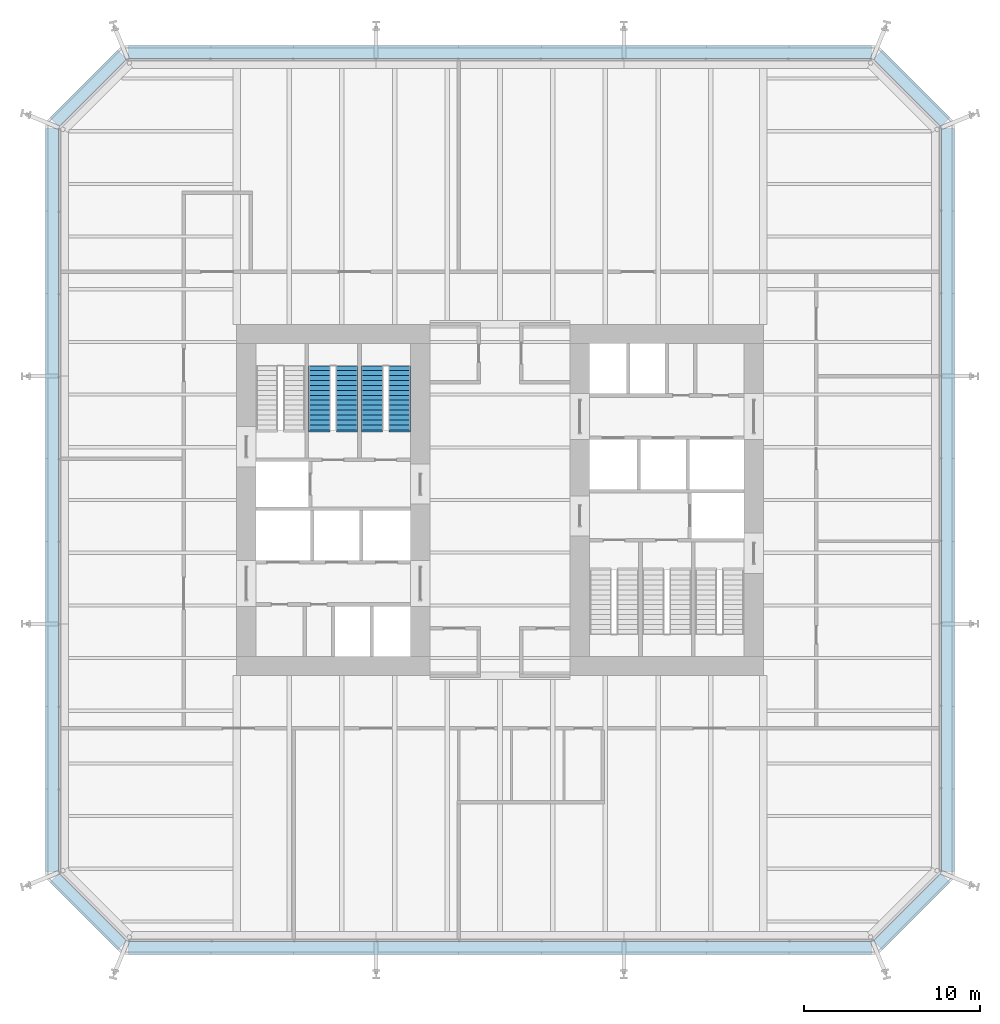
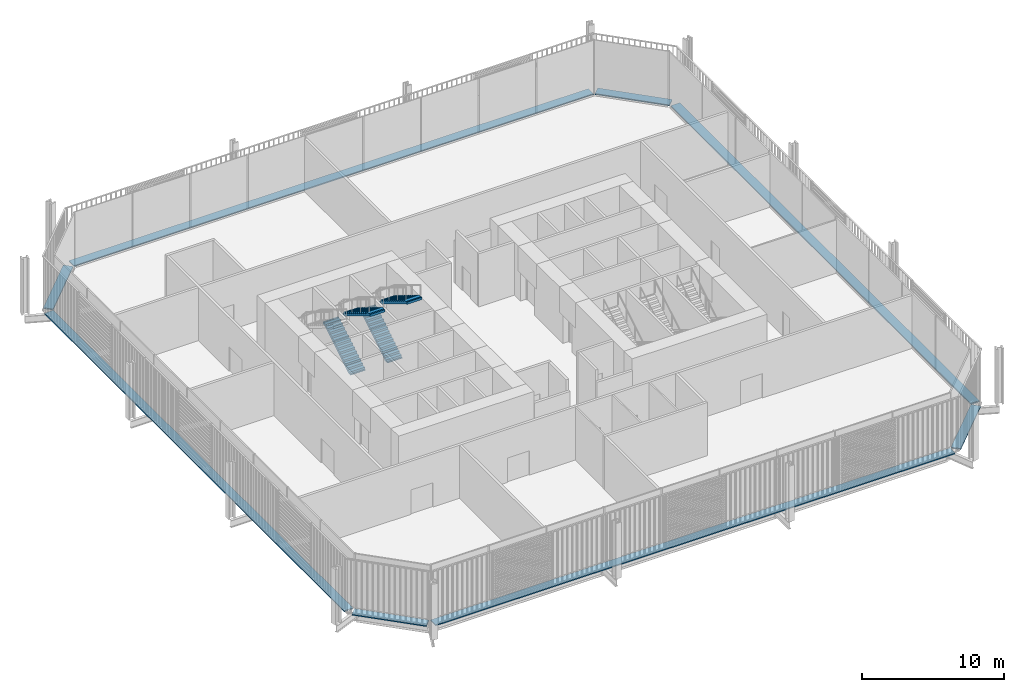
# One storey, part 21 of 22: 8 discrete accessories, 4 stair flights, 2 elements without a shape of their own.
"""IFC4 building model written with IfcOpenShell, lengths in metres."""

from ifc_helpers import new_model, si_unit, direction, frame, origin, origin_2d, place, context, subcontext, project, spatial, polyline, rectangle, outline, extrude, material, type_object, element, aggregate, save


model = new_model("IFC4")

# Units and contexts
model_context = context("Model", 3, precision=1e-05, world=origin(), true_north=direction((0.0, 1.0)))
body_context = subcontext(model_context, "Body", "Model", "MODEL_VIEW")
ifc_project = project(units=[si_unit("LENGTHUNIT", "METRE"), si_unit("AREAUNIT", "SQUARE_METRE"), si_unit("VOLUMEUNIT", "CUBIC_METRE"), si_unit("PLANEANGLEUNIT", "RADIAN"), si_unit("MASSUNIT", "GRAM", prefix="KILO")], contexts=[model_context])

# Site, building, storey
site_placement = place(None, origin())
site = spatial("IfcSite", under=ifc_project, at=site_placement, CompositionType="ELEMENT")
building_placement = place(site_placement, origin())
building = spatial("IfcBuilding", under=site, at=building_placement, Name="Millrace Tower", CompositionType="ELEMENT")
storey_placement = place(building_placement, frame((0.0, 0.0, 25.699951171875)))
storey = spatial("IfcBuildingStorey", under=building, at=storey_placement, Name="L06", CompositionType="ELEMENT", Elevation=25.699951171875)

# Stair, stair flights
ifc_material_1 = material(Name="Concrete C35", Category="concrete")
stair_type = type_object("IfcStairType", Name="Exit stair", PredefinedType="HALF_TURN_STAIR", material=ifc_material_1)
placement = place(storey_placement, origin())
stair_1 = element("IfcStair", 1, at=placement, inside=storey, type_object=stair_type, Name="Stair 2 W L06", PredefinedType="HALF_TURN_STAIR")
ifc_material_2 = material(Name="Concrete C35", Category="concrete")
stair_flight_type = type_object("IfcStairFlightType", Name="Exit stair flight", PredefinedType="STRAIGHT", material=ifc_material_2)
stair_flight_1_placement = place(storey_placement, frame((-10.2900390625, 4.0, 0.0), z_axis=(0.0, 0.0, 1.0), x_axis=(0.0, 1.0, 0.0)))
stair_flight_1 = element("IfcStairFlight", 2, at=stair_flight_1_placement, type_object=stair_flight_type, Name="ST12 flight 1", NumberOfRisers=14, NumberOfTreads=13, PredefinedType="STRAIGHT", RiserHeight=0.171428571, TreadLength=0.28, context=body_context, shape_type="SweptSolid", body=[
    extrude(outline(polyline([(-0.1201171875, -0.0400390625), (-0.1201171875, 0.0), (0.0, 0.0), (0.0, 0.17138671875), (0.280029296875, 0.17138671875), (0.280029296875, 0.3427734375), (0.56005859375, 0.3427734375), (0.56005859375, 0.514404296875), (0.840087890625, 0.514404296875), (0.840087890625, 0.685791015625), (1.1201171875, 0.685791015625), (1.1201171875, 0.857177734375), (1.39990234375, 0.857177734375), (1.39990234375, 1.028564453125), (1.679931640625, 1.028564453125), (1.679931640625, 1.199951171875), (1.9599609375, 1.199951171875), (1.9599609375, 1.371337890625), (2.239990234375, 1.371337890625), (2.239990234375, 1.54296875), (2.52001953125, 1.54296875), (2.52001953125, 1.71435546875), (2.800048828125, 1.71435546875), (2.800048828125, 1.8857421875), (3.080078125, 1.8857421875), (3.080078125, 2.05712890625), (3.360107421875, 2.05712890625), (3.360107421875, 2.228515625), (3.639892578125, 2.228515625), (3.639892578125, 2.24853515625), (3.760009765625, 2.24853515625), (3.760009765625, 2.052734375), (3.639892578125, 2.052734375), (0.287109375, 0.0), (0.287109375, -0.0400390625), (-0.1201171875, -0.0400390625)])), frame((0.0, 0.60986328125, 0.0), z_axis=(0.0, -1.0, 0.0), x_axis=(1.0, 0.0, 0.0)), (0.0, 0.0, 1.0), 1.219970703125),
])
stair_flight_2_placement = place(storey_placement, frame((-8.7099609375, 7.639892578125, 2.400146484375), z_axis=(0.0, 0.0, 1.0), x_axis=(0.0, -1.0, 0.0)))
stair_flight_2 = element("IfcStairFlight", 3, at=stair_flight_2_placement, type_object=stair_flight_type, Name="ST12 flight 2", NumberOfRisers=14, NumberOfTreads=13, PredefinedType="STRAIGHT", RiserHeight=0.171428571, TreadLength=0.28, context=body_context, shape_type="SweptSolid", body=[
    extrude(outline(polyline([(-0.1201171875, -0.0400390625), (-0.1201171875, 0.0), (0.0, 0.0), (0.0, 0.17138671875), (0.280029296875, 0.17138671875), (0.280029296875, 0.3427734375), (0.56005859375, 0.3427734375), (0.56005859375, 0.514404296875), (0.840087890625, 0.514404296875), (0.840087890625, 0.685791015625), (1.1201171875, 0.685791015625), (1.1201171875, 0.857177734375), (1.39990234375, 0.857177734375), (1.39990234375, 1.028564453125), (1.679931640625, 1.028564453125), (1.679931640625, 1.199951171875), (1.9599609375, 1.199951171875), (1.9599609375, 1.371337890625), (2.239990234375, 1.371337890625), (2.239990234375, 1.54296875), (2.52001953125, 1.54296875), (2.52001953125, 1.71435546875), (2.800048828125, 1.71435546875), (2.800048828125, 1.8857421875), (3.080078125, 1.8857421875), (3.080078125, 2.05712890625), (3.360107421875, 2.05712890625), (3.360107421875, 2.228515625), (3.639892578125, 2.228515625), (3.639892578125, 2.24853515625), (3.760009765625, 2.24853515625), (3.760009765625, 2.052734375), (3.639892578125, 2.052734375), (0.287109375, 0.0), (0.287109375, -0.0400390625), (-0.1201171875, -0.0400390625)])), frame((0.0, 0.60986328125, 0.0), z_axis=(0.0, -1.0, 0.0), x_axis=(1.0, 0.0, 0.0)), (0.0, 0.0, 1.0), 1.219970703125),
])
aggregate(stair_1, [stair_flight_1, stair_flight_2])

stair_2 = element("IfcStair", 4, at=placement, inside=storey, type_object=stair_type, Name="Stair 3 W L06", PredefinedType="HALF_TURN_STAIR")
stair_flight_3_placement = place(storey_placement, frame((-7.2900390625, 4.0, 0.0), z_axis=(0.0, 0.0, 1.0), x_axis=(0.0, 1.0, 0.0)))
stair_flight_3 = element("IfcStairFlight", 5, at=stair_flight_3_placement, type_object=stair_flight_type, Name="ST12 flight 1", NumberOfRisers=14, NumberOfTreads=13, PredefinedType="STRAIGHT", RiserHeight=0.171428571, TreadLength=0.28, context=body_context, shape_type="SweptSolid", body=[
    extrude(outline(polyline([(-0.1201171875, -0.0400390625), (-0.1201171875, 0.0), (0.0, 0.0), (0.0, 0.17138671875), (0.280029296875, 0.17138671875), (0.280029296875, 0.3427734375), (0.56005859375, 0.3427734375), (0.56005859375, 0.514404296875), (0.840087890625, 0.514404296875), (0.840087890625, 0.685791015625), (1.1201171875, 0.685791015625), (1.1201171875, 0.857177734375), (1.39990234375, 0.857177734375), (1.39990234375, 1.028564453125), (1.679931640625, 1.028564453125), (1.679931640625, 1.199951171875), (1.9599609375, 1.199951171875), (1.9599609375, 1.371337890625), (2.239990234375, 1.371337890625), (2.239990234375, 1.54296875), (2.52001953125, 1.54296875), (2.52001953125, 1.71435546875), (2.800048828125, 1.71435546875), (2.800048828125, 1.8857421875), (3.080078125, 1.8857421875), (3.080078125, 2.05712890625), (3.360107421875, 2.05712890625), (3.360107421875, 2.228515625), (3.639892578125, 2.228515625), (3.639892578125, 2.24853515625), (3.760009765625, 2.24853515625), (3.760009765625, 2.052734375), (3.639892578125, 2.052734375), (0.287109375, 0.0), (0.287109375, -0.0400390625), (-0.1201171875, -0.0400390625)])), frame((0.0, 0.60986328125, 0.0), z_axis=(0.0, -1.0, 0.0), x_axis=(1.0, 0.0, 0.0)), (0.0, 0.0, 1.0), 1.219970703125),
])
stair_flight_4_placement = place(storey_placement, frame((-5.7099609375, 7.639892578125, 2.400146484375), z_axis=(0.0, 0.0, 1.0), x_axis=(0.0, -1.0, 0.0)))
stair_flight_4 = element("IfcStairFlight", 6, at=stair_flight_4_placement, type_object=stair_flight_type, Name="ST12 flight 2", NumberOfRisers=14, NumberOfTreads=13, PredefinedType="STRAIGHT", RiserHeight=0.171428571, TreadLength=0.28, context=body_context, shape_type="SweptSolid", body=[
    extrude(outline(polyline([(-0.1201171875, -0.0400390625), (-0.1201171875, 0.0), (0.0, 0.0), (0.0, 0.17138671875), (0.280029296875, 0.17138671875), (0.280029296875, 0.3427734375), (0.56005859375, 0.3427734375), (0.56005859375, 0.514404296875), (0.840087890625, 0.514404296875), (0.840087890625, 0.685791015625), (1.1201171875, 0.685791015625), (1.1201171875, 0.857177734375), (1.39990234375, 0.857177734375), (1.39990234375, 1.028564453125), (1.679931640625, 1.028564453125), (1.679931640625, 1.199951171875), (1.9599609375, 1.199951171875), (1.9599609375, 1.371337890625), (2.239990234375, 1.371337890625), (2.239990234375, 1.54296875), (2.52001953125, 1.54296875), (2.52001953125, 1.71435546875), (2.800048828125, 1.71435546875), (2.800048828125, 1.8857421875), (3.080078125, 1.8857421875), (3.080078125, 2.05712890625), (3.360107421875, 2.05712890625), (3.360107421875, 2.228515625), (3.639892578125, 2.228515625), (3.639892578125, 2.24853515625), (3.760009765625, 2.24853515625), (3.760009765625, 2.052734375), (3.639892578125, 2.052734375), (0.287109375, 0.0), (0.287109375, -0.0400390625), (-0.1201171875, -0.0400390625)])), frame((0.0, 0.60986328125, 0.0), z_axis=(0.0, -1.0, 0.0), x_axis=(1.0, 0.0, 0.0)), (0.0, 0.0, 1.0), 1.219970703125),
])
aggregate(stair_2, [stair_flight_3, stair_flight_4])

# Discrete accessories
ifc_material_3 = material(Name="Stainless steel ASTM A240 type 316", Category="steel")
discrete_accessory_type = type_object("IfcDiscreteAccessoryType", Name="Thermally broken screen support rail", PredefinedType="BRACKET", material=ifc_material_3)
discrete_accessory_1_placement = place(storey_placement, frame((-23.435546875, -23.435546875, 0.0), z_axis=(0.0, 0.0, 1.0), x_axis=(0.707106781187, -0.707106781187, 0.0)))
element("IfcDiscreteAccessory", 7, at=discrete_accessory_1_placement, inside=storey, type_object=discrete_accessory_type, Name="Thermally broken screen support rail A-F01 L06 1", PredefinedType="BRACKET", context=body_context, shape_type="SweptSolid", body=[
    extrude(rectangle(XDim=5.44482421875, YDim=0.719970703125, at=origin_2d()), origin(), (0.0, 0.0, 1.0), 0.10009765625),
])
discrete_accessory_2_placement = place(storey_placement, frame((0.0, -25.510009765625, 0.0), z_axis=(0.0, 0.0, 1.0), x_axis=(1.0, 0.0, 0.0)))
element("IfcDiscreteAccessory", 8, at=discrete_accessory_2_placement, inside=storey, type_object=discrete_accessory_type, Name="Thermally broken screen support rail A-F02 L06 1", PredefinedType="BRACKET", context=body_context, shape_type="SweptSolid", body=[
    extrude(rectangle(XDim=42.300048828125, YDim=0.719970703125, at=origin_2d()), origin(), (0.0, 0.0, 1.0), 0.10009765625),
])
discrete_accessory_3_placement = place(storey_placement, frame((23.435546875, -23.435546875, 0.0), z_axis=(0.0, 0.0, 1.0), x_axis=(0.707106781187, 0.707106781187, 0.0)))
element("IfcDiscreteAccessory", 9, at=discrete_accessory_3_placement, inside=storey, type_object=discrete_accessory_type, Name="Thermally broken screen support rail A-F03 L06 1", PredefinedType="BRACKET", context=body_context, shape_type="SweptSolid", body=[
    extrude(rectangle(XDim=5.44482421875, YDim=0.719970703125, at=origin_2d()), origin(), (0.0, 0.0, 1.0), 0.10009765625),
])
discrete_accessory_4_placement = place(storey_placement, frame((25.510009765625, 0.0, 0.0), z_axis=(0.0, 0.0, 1.0), x_axis=(0.0, 1.0, 0.0)))
element("IfcDiscreteAccessory", 10, at=discrete_accessory_4_placement, inside=storey, type_object=discrete_accessory_type, Name="Thermally broken screen support rail A-F04 L06 1", PredefinedType="BRACKET", context=body_context, shape_type="SweptSolid", body=[
    extrude(rectangle(XDim=42.300048828125, YDim=0.719970703125, at=origin_2d()), origin(), (0.0, 0.0, 1.0), 0.10009765625),
])
discrete_accessory_5_placement = place(storey_placement, frame((23.435546875, 23.435546875, 0.0), z_axis=(0.0, 0.0, 1.0), x_axis=(-0.707106781187, 0.707106781187, 0.0)))
element("IfcDiscreteAccessory", 11, at=discrete_accessory_5_placement, inside=storey, type_object=discrete_accessory_type, Name="Thermally broken screen support rail A-F05 L06 1", PredefinedType="BRACKET", context=body_context, shape_type="SweptSolid", body=[
    extrude(rectangle(XDim=5.44482421875, YDim=0.719970703125, at=origin_2d()), origin(), (0.0, 0.0, 1.0), 0.10009765625),
])
discrete_accessory_6_placement = place(storey_placement, frame((0.0, 25.510009765625, 0.0), z_axis=(0.0, 0.0, 1.0), x_axis=(-1.0, 0.0, 0.0)))
element("IfcDiscreteAccessory", 12, at=discrete_accessory_6_placement, inside=storey, type_object=discrete_accessory_type, Name="Thermally broken screen support rail A-F06 L06 1", PredefinedType="BRACKET", context=body_context, shape_type="SweptSolid", body=[
    extrude(rectangle(XDim=42.300048828125, YDim=0.719970703125, at=origin_2d()), origin(), (0.0, 0.0, 1.0), 0.10009765625),
])
discrete_accessory_7_placement = place(storey_placement, frame((-23.435546875, 23.435546875, 0.0), z_axis=(0.0, 0.0, 1.0), x_axis=(-0.707106781187, -0.707106781187, 0.0)))
element("IfcDiscreteAccessory", 13, at=discrete_accessory_7_placement, inside=storey, type_object=discrete_accessory_type, Name="Thermally broken screen support rail A-F07 L06 1", PredefinedType="BRACKET", context=body_context, shape_type="SweptSolid", body=[
    extrude(rectangle(XDim=5.44482421875, YDim=0.719970703125, at=origin_2d()), origin(), (0.0, 0.0, 1.0), 0.10009765625),
])
discrete_accessory_8_placement = place(storey_placement, frame((-25.510009765625, 0.0, 0.0), z_axis=(0.0, 0.0, 1.0), x_axis=(0.0, -1.0, 0.0)))
element("IfcDiscreteAccessory", 14, at=discrete_accessory_8_placement, inside=storey, type_object=discrete_accessory_type, Name="Thermally broken screen support rail A-F08 L06 1", PredefinedType="BRACKET", context=body_context, shape_type="SweptSolid", body=[
    extrude(rectangle(XDim=42.300048828125, YDim=0.719970703125, at=origin_2d()), origin(), (0.0, 0.0, 1.0), 0.10009765625),
])

save(model, "model.ifc")
